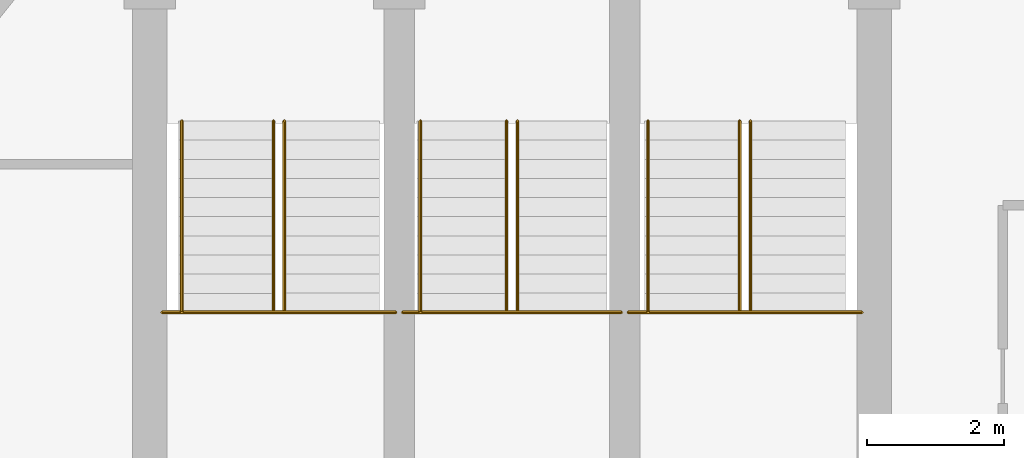
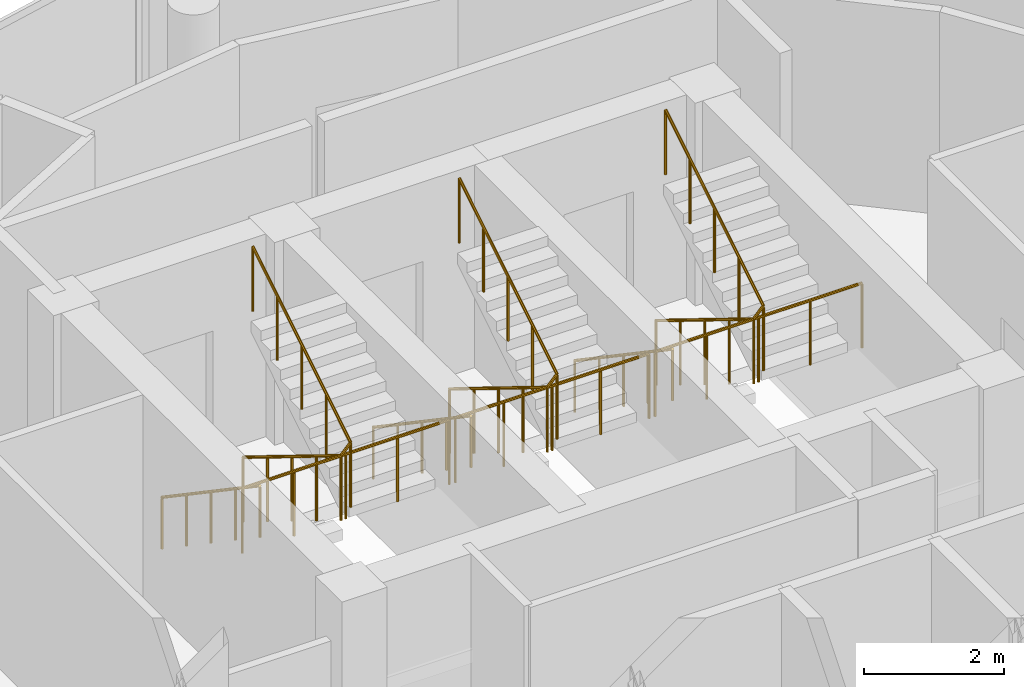
# One storey, part 24 of 24: 9 railings.
"""IFC4 building model written with IfcOpenShell, lengths in metres."""

from ifc_helpers import new_model, si_unit, direction, frame, origin, place, context, subcontext, project, spatial, polyline, outline, extrude, material, type_object, element, save


model = new_model("IFC4")

# Units and contexts
model_context = context("Model", 3, precision=1e-05, world=origin(), true_north=direction((0.0, 1.0)))
body_context = subcontext(model_context, "Body", "Model", "MODEL_VIEW")
ifc_project = project(units=[si_unit("LENGTHUNIT", "METRE"), si_unit("AREAUNIT", "SQUARE_METRE"), si_unit("VOLUMEUNIT", "CUBIC_METRE"), si_unit("PLANEANGLEUNIT", "RADIAN"), si_unit("MASSUNIT", "GRAM", prefix="KILO")], contexts=[model_context])

# Site, building, storey
site_placement = place(None, origin())
site = spatial("IfcSite", under=ifc_project, at=site_placement, CompositionType="ELEMENT")
building_placement = place(site_placement, origin())
building = spatial("IfcBuilding", under=site, at=building_placement, Name="Nuhasar Tower", CompositionType="ELEMENT")
storey_placement = place(building_placement, frame((0.0, 0.0, 286.0)))
storey = spatial("IfcBuildingStorey", under=building, at=storey_placement, Name="L71", CompositionType="ELEMENT", Elevation=286.0)

# Railings
ifc_material_1 = material(Name="Steel S355", Category="steel")
railing_type_1 = type_object("IfcRailingType", Name="RLG-STAIR-GUARD-1150", PredefinedType="GUARDRAIL", material=ifc_material_1)
railing_1_placement = place(storey_placement, frame((33.8798828125, 32.485107421875, 1.89990234375)))
element("IfcRailing", 1, at=railing_1_placement, inside=storey, type_object=railing_type_1, Name="L71 Stair ST-01 Guardrail LND", PredefinedType="GUARDRAIL", context=body_context, shape_type="SweptSolid", body=[
    extrude(outline(polyline([(0.024169921875, 0.0), (0.01708984375, 0.01708984375), (0.0, 0.024169921875), (-0.01708984375, 0.01708984375), (-0.024169921875, 0.0), (-0.01708984375, -0.01708984375), (0.0, -0.024169921875), (0.01708984375, -0.01708984375), (0.024169921875, 0.0)])), frame((0.0, 0.0, 1.1259765625), z_axis=(1.0, 0.0, 0.0), x_axis=(0.0, 1.0, 0.0)), (0.0, 0.0, 1.0), 3.420166015625),
    extrude(outline(polyline([(0.02099609375, 0.0), (0.014892578125, 0.014892578125), (0.0, 0.02099609375), (-0.014892578125, 0.014892578125), (-0.02099609375, 0.0), (-0.014892578125, -0.014892578125), (0.0, -0.02099609375), (0.014892578125, -0.014892578125), (0.02099609375, 0.0)])), origin(), (0.0, 0.0, 1.0), 1.101806640625),
    extrude(outline(polyline([(0.02099609375, 0.0), (0.014892578125, 0.014892578125), (0.0, 0.02099609375), (-0.014892578125, 0.014892578125), (-0.02099609375, 0.0), (-0.014892578125, -0.014892578125), (0.0, -0.02099609375), (0.014892578125, -0.014892578125), (0.02099609375, 0.0)])), frame((0.85498046875, 0.0, 0.0)), (0.0, 0.0, 1.0), 1.101806640625),
    extrude(outline(polyline([(0.02099609375, 0.0), (0.014892578125, 0.014892578125), (0.0, 0.02099609375), (-0.014892578125, 0.014892578125), (-0.02099609375, 0.0), (-0.014892578125, -0.014892578125), (0.0, -0.02099609375), (0.014892578125, -0.014892578125), (0.02099609375, 0.0)])), frame((1.7099609375, 0.0, 0.0)), (0.0, 0.0, 1.0), 1.101806640625),
    extrude(outline(polyline([(0.02099609375, 0.0), (0.014892578125, 0.014892578125), (0.0, 0.02099609375), (-0.014892578125, 0.014892578125), (-0.02099609375, 0.0), (-0.014892578125, -0.014892578125), (0.0, -0.02099609375), (0.014892578125, -0.014892578125), (0.02099609375, 0.0)])), frame((2.565185546875, 0.0, 0.0)), (0.0, 0.0, 1.0), 1.101806640625),
    extrude(outline(polyline([(0.02099609375, 0.0), (0.014892578125, 0.014892578125), (0.0, 0.02099609375), (-0.014892578125, 0.014892578125), (-0.02099609375, 0.0), (-0.014892578125, -0.014892578125), (0.0, -0.02099609375), (0.014892578125, -0.014892578125), (0.02099609375, 0.0)])), frame((3.420166015625, 0.0, 0.0)), (0.0, 0.0, 1.0), 1.101806640625),
])
railing_2_placement = place(storey_placement, frame((35.510009765625, 35.284912109375, 0.173095703125)))
element("IfcRailing", 2, at=railing_2_placement, inside=storey, type_object=railing_type_1, Name="L71 Stair ST-01 Guardrail SLT", PredefinedType="GUARDRAIL", context=body_context, shape_type="SweptSolid", body=[
    extrude(outline(polyline([(0.024169921875, 0.0), (0.01708984375, 0.01708984375), (0.0, 0.024169921875), (-0.01708984375, 0.01708984375), (-0.024169921875, 0.0), (-0.01708984375, -0.01708984375), (0.0, -0.024169921875), (0.01708984375, -0.01708984375), (0.024169921875, 0.0)])), frame((0.0, 0.0, 1.1259765625), z_axis=(0.0, -0.851135498715, 0.524946057064), x_axis=(1.0, 0.0, 0.0)), (0.0, 0.0, 1.0), 3.28955078125),
    extrude(outline(polyline([(0.024169921875, 0.0), (0.01708984375, 0.01708984375), (0.0, 0.024169921875), (-0.01708984375, 0.01708984375), (-0.024169921875, 0.0), (-0.01708984375, -0.01708984375), (0.0, -0.024169921875), (0.01708984375, -0.01708984375), (0.024169921875, 0.0)])), frame((0.0, -2.7998046875, 2.8525390625), z_axis=(0.678581247581, 0.0, 0.734525350435), x_axis=(0.0, 1.0, 0.0)), (0.0, 0.0, 1.0), 0.235595703125),
    extrude(outline(polyline([(0.024169921875, 0.0), (0.01708984375, 0.01708984375), (0.0, 0.024169921875), (-0.01708984375, 0.01708984375), (-0.024169921875, 0.0), (-0.01708984375, -0.01708984375), (0.0, -0.024169921875), (0.01708984375, -0.01708984375), (0.024169921875, 0.0)])), frame((0.159912109375, -2.7998046875, 3.02587890625), z_axis=(0.0, 0.851102337555, 0.524999820009), x_axis=(-1.0, 0.0, 0.0)), (0.0, 0.0, 1.0), 3.28955078125),
    extrude(outline(polyline([(0.02099609375, 0.0), (0.014892578125, 0.014892578125), (0.0, 0.02099609375), (-0.014892578125, 0.014892578125), (-0.02099609375, 0.0), (-0.014892578125, -0.014892578125), (0.0, -0.02099609375), (0.014892578125, -0.014892578125), (0.02099609375, 0.0)])), origin(), (0.0, 0.0, 1.0), 1.101806640625),
    extrude(outline(polyline([(0.02099609375, 0.0), (0.014892578125, 0.014892578125), (0.0, 0.02099609375), (-0.014892578125, 0.014892578125), (-0.02099609375, 0.0), (-0.014892578125, -0.014892578125), (0.0, -0.02099609375), (0.014892578125, -0.014892578125), (0.02099609375, 0.0)])), frame((0.0, -0.699951171875, 0.431640625)), (0.0, 0.0, 1.0), 1.101806640625),
    extrude(outline(polyline([(0.02099609375, 0.0), (0.014892578125, 0.014892578125), (0.0, 0.02099609375), (-0.014892578125, 0.014892578125), (-0.02099609375, 0.0), (-0.014892578125, -0.014892578125), (0.0, -0.02099609375), (0.014892578125, -0.014892578125), (0.02099609375, 0.0)])), frame((0.0, -1.39990234375, 0.86328125)), (0.0, 0.0, 1.0), 1.101806640625),
    extrude(outline(polyline([(0.02099609375, 0.0), (0.014892578125, 0.014892578125), (0.0, 0.02099609375), (-0.014892578125, 0.014892578125), (-0.02099609375, 0.0), (-0.014892578125, -0.014892578125), (0.0, -0.02099609375), (0.014892578125, -0.014892578125), (0.02099609375, 0.0)])), frame((0.0, -2.099853515625, 1.295166015625)), (0.0, 0.0, 1.0), 1.101806640625),
    extrude(outline(polyline([(0.02099609375, 0.0), (0.014892578125, 0.014892578125), (0.0, 0.02099609375), (-0.014892578125, 0.014892578125), (-0.02099609375, 0.0), (-0.014892578125, -0.014892578125), (0.0, -0.02099609375), (0.014892578125, -0.014892578125), (0.02099609375, 0.0)])), frame((0.0, -2.7998046875, 1.726806640625)), (0.0, 0.0, 1.0), 1.101806640625),
    extrude(outline(polyline([(0.02099609375, 0.0), (0.014892578125, 0.014892578125), (0.0, 0.02099609375), (-0.014892578125, 0.014892578125), (-0.02099609375, 0.0), (-0.014892578125, -0.014892578125), (0.0, -0.02099609375), (0.014892578125, -0.014892578125), (0.02099609375, 0.0)])), frame((0.159912109375, -2.7998046875, 1.89990234375)), (0.0, 0.0, 1.0), 1.101806640625),
    extrude(outline(polyline([(0.02099609375, 0.0), (0.014892578125, 0.014892578125), (0.0, 0.02099609375), (-0.014892578125, 0.014892578125), (-0.02099609375, 0.0), (-0.014892578125, -0.014892578125), (0.0, -0.02099609375), (0.014892578125, -0.014892578125), (0.02099609375, 0.0)])), frame((0.159912109375, -2.099853515625, 2.33154296875)), (0.0, 0.0, 1.0), 1.101806640625),
    extrude(outline(polyline([(0.02099609375, 0.0), (0.014892578125, 0.014892578125), (0.0, 0.02099609375), (-0.014892578125, 0.014892578125), (-0.02099609375, 0.0), (-0.014892578125, -0.014892578125), (0.0, -0.02099609375), (0.014892578125, -0.014892578125), (0.02099609375, 0.0)])), frame((0.159912109375, -1.39990234375, 2.763427734375)), (0.0, 0.0, 1.0), 1.101806640625),
    extrude(outline(polyline([(0.02099609375, 0.0), (0.014892578125, 0.014892578125), (0.0, 0.02099609375), (-0.014892578125, 0.014892578125), (-0.02099609375, 0.0), (-0.014892578125, -0.014892578125), (0.0, -0.02099609375), (0.014892578125, -0.014892578125), (0.02099609375, 0.0)])), frame((0.159912109375, -0.699951171875, 3.1953125)), (0.0, 0.0, 1.0), 1.101806640625),
    extrude(outline(polyline([(0.02099609375, 0.0), (0.014892578125, 0.014892578125), (0.0, 0.02099609375), (-0.014892578125, 0.014892578125), (-0.02099609375, 0.0), (-0.014892578125, -0.014892578125), (0.0, -0.02099609375), (0.014892578125, -0.014892578125), (0.02099609375, 0.0)])), frame((0.159912109375, 0.0, 3.626953125)), (0.0, 0.0, 1.0), 1.101806640625),
])
railing_3_placement = place(storey_placement, frame((37.39990234375, 32.485107421875, 1.89990234375)))
element("IfcRailing", 3, at=railing_3_placement, inside=storey, type_object=railing_type_1, Name="L71 Stair ST-03 Guardrail LND", PredefinedType="GUARDRAIL", context=body_context, shape_type="SweptSolid", body=[
    extrude(outline(polyline([(0.024169921875, 0.0), (0.01708984375, 0.01708984375), (0.0, 0.024169921875), (-0.01708984375, 0.01708984375), (-0.024169921875, 0.0), (-0.01708984375, -0.01708984375), (0.0, -0.024169921875), (0.01708984375, -0.01708984375), (0.024169921875, 0.0)])), frame((0.0, 0.0, 1.1259765625), z_axis=(1.0, 0.0, 0.0), x_axis=(0.0, 1.0, 0.0)), (0.0, 0.0, 1.0), 3.2001953125),
    extrude(outline(polyline([(0.02099609375, 0.0), (0.014892578125, 0.014892578125), (0.0, 0.02099609375), (-0.014892578125, 0.014892578125), (-0.02099609375, 0.0), (-0.014892578125, -0.014892578125), (0.0, -0.02099609375), (0.014892578125, -0.014892578125), (0.02099609375, 0.0)])), origin(), (0.0, 0.0, 1.0), 1.101806640625),
    extrude(outline(polyline([(0.02099609375, 0.0), (0.014892578125, 0.014892578125), (0.0, 0.02099609375), (-0.014892578125, 0.014892578125), (-0.02099609375, 0.0), (-0.014892578125, -0.014892578125), (0.0, -0.02099609375), (0.014892578125, -0.014892578125), (0.02099609375, 0.0)])), frame((0.800048828125, 0.0, 0.0)), (0.0, 0.0, 1.0), 1.101806640625),
    extrude(outline(polyline([(0.02099609375, 0.0), (0.014892578125, 0.014892578125), (0.0, 0.02099609375), (-0.014892578125, 0.014892578125), (-0.02099609375, 0.0), (-0.014892578125, -0.014892578125), (0.0, -0.02099609375), (0.014892578125, -0.014892578125), (0.02099609375, 0.0)])), frame((1.60009765625, 0.0, 0.0)), (0.0, 0.0, 1.0), 1.101806640625),
    extrude(outline(polyline([(0.02099609375, 0.0), (0.014892578125, 0.014892578125), (0.0, 0.02099609375), (-0.014892578125, 0.014892578125), (-0.02099609375, 0.0), (-0.014892578125, -0.014892578125), (0.0, -0.02099609375), (0.014892578125, -0.014892578125), (0.02099609375, 0.0)])), frame((2.400146484375, 0.0, 0.0)), (0.0, 0.0, 1.0), 1.101806640625),
    extrude(outline(polyline([(0.02099609375, 0.0), (0.014892578125, 0.014892578125), (0.0, 0.02099609375), (-0.014892578125, 0.014892578125), (-0.02099609375, 0.0), (-0.014892578125, -0.014892578125), (0.0, -0.02099609375), (0.014892578125, -0.014892578125), (0.02099609375, 0.0)])), frame((3.2001953125, 0.0, 0.0)), (0.0, 0.0, 1.0), 1.101806640625),
])
railing_4_placement = place(storey_placement, frame((38.919921875, 35.284912109375, 0.173095703125)))
element("IfcRailing", 4, at=railing_4_placement, inside=storey, type_object=railing_type_1, Name="L71 Stair ST-03 Guardrail SLT", PredefinedType="GUARDRAIL", context=body_context, shape_type="SweptSolid", body=[
    extrude(outline(polyline([(0.024169921875, 0.0), (0.01708984375, 0.01708984375), (0.0, 0.024169921875), (-0.01708984375, 0.01708984375), (-0.024169921875, 0.0), (-0.01708984375, -0.01708984375), (0.0, -0.024169921875), (0.01708984375, -0.01708984375), (0.024169921875, 0.0)])), frame((0.0, 0.0, 1.1259765625), z_axis=(0.0, -0.851135498715, 0.524946057064), x_axis=(1.0, 0.0, 0.0)), (0.0, 0.0, 1.0), 3.28955078125),
    extrude(outline(polyline([(0.024169921875, 0.0), (0.01708984375, 0.01708984375), (0.0, 0.024169921875), (-0.01708984375, 0.01708984375), (-0.024169921875, 0.0), (-0.01708984375, -0.01708984375), (0.0, -0.024169921875), (0.01708984375, -0.01708984375), (0.024169921875, 0.0)])), frame((0.0, -2.7998046875, 2.8525390625), z_axis=(0.679139610055, 0.0, 0.734009121234), x_axis=(0.0, 1.0, 0.0)), (0.0, 0.0, 1.0), 0.23583984375),
    extrude(outline(polyline([(0.024169921875, 0.0), (0.01708984375, 0.01708984375), (0.0, 0.024169921875), (-0.01708984375, 0.01708984375), (-0.024169921875, 0.0), (-0.01708984375, -0.01708984375), (0.0, -0.024169921875), (0.01708984375, -0.01708984375), (0.024169921875, 0.0)])), frame((0.16015625, -2.7998046875, 3.02587890625), z_axis=(0.0, 0.851102337555, 0.524999820009), x_axis=(-1.0, 0.0, 0.0)), (0.0, 0.0, 1.0), 3.28955078125),
    extrude(outline(polyline([(0.02099609375, 0.0), (0.014892578125, 0.014892578125), (0.0, 0.02099609375), (-0.014892578125, 0.014892578125), (-0.02099609375, 0.0), (-0.014892578125, -0.014892578125), (0.0, -0.02099609375), (0.014892578125, -0.014892578125), (0.02099609375, 0.0)])), origin(), (0.0, 0.0, 1.0), 1.101806640625),
    extrude(outline(polyline([(0.02099609375, 0.0), (0.014892578125, 0.014892578125), (0.0, 0.02099609375), (-0.014892578125, 0.014892578125), (-0.02099609375, 0.0), (-0.014892578125, -0.014892578125), (0.0, -0.02099609375), (0.014892578125, -0.014892578125), (0.02099609375, 0.0)])), frame((0.0, -0.699951171875, 0.431640625)), (0.0, 0.0, 1.0), 1.101806640625),
    extrude(outline(polyline([(0.02099609375, 0.0), (0.014892578125, 0.014892578125), (0.0, 0.02099609375), (-0.014892578125, 0.014892578125), (-0.02099609375, 0.0), (-0.014892578125, -0.014892578125), (0.0, -0.02099609375), (0.014892578125, -0.014892578125), (0.02099609375, 0.0)])), frame((0.0, -1.39990234375, 0.86328125)), (0.0, 0.0, 1.0), 1.101806640625),
    extrude(outline(polyline([(0.02099609375, 0.0), (0.014892578125, 0.014892578125), (0.0, 0.02099609375), (-0.014892578125, 0.014892578125), (-0.02099609375, 0.0), (-0.014892578125, -0.014892578125), (0.0, -0.02099609375), (0.014892578125, -0.014892578125), (0.02099609375, 0.0)])), frame((0.0, -2.099853515625, 1.295166015625)), (0.0, 0.0, 1.0), 1.101806640625),
    extrude(outline(polyline([(0.02099609375, 0.0), (0.014892578125, 0.014892578125), (0.0, 0.02099609375), (-0.014892578125, 0.014892578125), (-0.02099609375, 0.0), (-0.014892578125, -0.014892578125), (0.0, -0.02099609375), (0.014892578125, -0.014892578125), (0.02099609375, 0.0)])), frame((0.0, -2.7998046875, 1.726806640625)), (0.0, 0.0, 1.0), 1.101806640625),
    extrude(outline(polyline([(0.02099609375, 0.0), (0.014892578125, 0.014892578125), (0.0, 0.02099609375), (-0.014892578125, 0.014892578125), (-0.02099609375, 0.0), (-0.014892578125, -0.014892578125), (0.0, -0.02099609375), (0.014892578125, -0.014892578125), (0.02099609375, 0.0)])), frame((0.16015625, -2.7998046875, 1.89990234375)), (0.0, 0.0, 1.0), 1.101806640625),
    extrude(outline(polyline([(0.02099609375, 0.0), (0.014892578125, 0.014892578125), (0.0, 0.02099609375), (-0.014892578125, 0.014892578125), (-0.02099609375, 0.0), (-0.014892578125, -0.014892578125), (0.0, -0.02099609375), (0.014892578125, -0.014892578125), (0.02099609375, 0.0)])), frame((0.16015625, -2.099853515625, 2.33154296875)), (0.0, 0.0, 1.0), 1.101806640625),
    extrude(outline(polyline([(0.02099609375, 0.0), (0.014892578125, 0.014892578125), (0.0, 0.02099609375), (-0.014892578125, 0.014892578125), (-0.02099609375, 0.0), (-0.014892578125, -0.014892578125), (0.0, -0.02099609375), (0.014892578125, -0.014892578125), (0.02099609375, 0.0)])), frame((0.16015625, -1.39990234375, 2.763427734375)), (0.0, 0.0, 1.0), 1.101806640625),
    extrude(outline(polyline([(0.02099609375, 0.0), (0.014892578125, 0.014892578125), (0.0, 0.02099609375), (-0.014892578125, 0.014892578125), (-0.02099609375, 0.0), (-0.014892578125, -0.014892578125), (0.0, -0.02099609375), (0.014892578125, -0.014892578125), (0.02099609375, 0.0)])), frame((0.16015625, -0.699951171875, 3.1953125)), (0.0, 0.0, 1.0), 1.101806640625),
    extrude(outline(polyline([(0.02099609375, 0.0), (0.014892578125, 0.014892578125), (0.0, 0.02099609375), (-0.014892578125, 0.014892578125), (-0.02099609375, 0.0), (-0.014892578125, -0.014892578125), (0.0, -0.02099609375), (0.014892578125, -0.014892578125), (0.02099609375, 0.0)])), frame((0.16015625, 0.0, 3.626953125)), (0.0, 0.0, 1.0), 1.101806640625),
])
railing_5_placement = place(storey_placement, frame((40.699951171875, 32.485107421875, 1.89990234375)))
element("IfcRailing", 5, at=railing_5_placement, inside=storey, type_object=railing_type_1, Name="L71 Stair ST-02 Guardrail LND", PredefinedType="GUARDRAIL", context=body_context, shape_type="SweptSolid", body=[
    extrude(outline(polyline([(0.024169921875, 0.0), (0.01708984375, 0.01708984375), (0.0, 0.024169921875), (-0.01708984375, 0.01708984375), (-0.024169921875, 0.0), (-0.01708984375, -0.01708984375), (0.0, -0.024169921875), (0.01708984375, -0.01708984375), (0.024169921875, 0.0)])), frame((0.0, 0.0, 1.1259765625), z_axis=(1.0, 0.0, 0.0), x_axis=(0.0, 1.0, 0.0)), (0.0, 0.0, 1.0), 3.420166015625),
    extrude(outline(polyline([(0.02099609375, 0.0), (0.014892578125, 0.014892578125), (0.0, 0.02099609375), (-0.014892578125, 0.014892578125), (-0.02099609375, 0.0), (-0.014892578125, -0.014892578125), (0.0, -0.02099609375), (0.014892578125, -0.014892578125), (0.02099609375, 0.0)])), origin(), (0.0, 0.0, 1.0), 1.101806640625),
    extrude(outline(polyline([(0.02099609375, 0.0), (0.014892578125, 0.014892578125), (0.0, 0.02099609375), (-0.014892578125, 0.014892578125), (-0.02099609375, 0.0), (-0.014892578125, -0.014892578125), (0.0, -0.02099609375), (0.014892578125, -0.014892578125), (0.02099609375, 0.0)])), frame((0.85498046875, 0.0, 0.0)), (0.0, 0.0, 1.0), 1.101806640625),
    extrude(outline(polyline([(0.02099609375, 0.0), (0.014892578125, 0.014892578125), (0.0, 0.02099609375), (-0.014892578125, 0.014892578125), (-0.02099609375, 0.0), (-0.014892578125, -0.014892578125), (0.0, -0.02099609375), (0.014892578125, -0.014892578125), (0.02099609375, 0.0)])), frame((1.7099609375, 0.0, 0.0)), (0.0, 0.0, 1.0), 1.101806640625),
    extrude(outline(polyline([(0.02099609375, 0.0), (0.014892578125, 0.014892578125), (0.0, 0.02099609375), (-0.014892578125, 0.014892578125), (-0.02099609375, 0.0), (-0.014892578125, -0.014892578125), (0.0, -0.02099609375), (0.014892578125, -0.014892578125), (0.02099609375, 0.0)])), frame((2.565185546875, 0.0, 0.0)), (0.0, 0.0, 1.0), 1.101806640625),
    extrude(outline(polyline([(0.02099609375, 0.0), (0.014892578125, 0.014892578125), (0.0, 0.02099609375), (-0.014892578125, 0.014892578125), (-0.02099609375, 0.0), (-0.014892578125, -0.014892578125), (0.0, -0.02099609375), (0.014892578125, -0.014892578125), (0.02099609375, 0.0)])), frame((3.420166015625, 0.0, 0.0)), (0.0, 0.0, 1.0), 1.101806640625),
])
railing_6_placement = place(storey_placement, frame((42.330078125, 35.284912109375, 0.173095703125)))
element("IfcRailing", 6, at=railing_6_placement, inside=storey, type_object=railing_type_1, Name="L71 Stair ST-02 Guardrail SLT", PredefinedType="GUARDRAIL", context=body_context, shape_type="SweptSolid", body=[
    extrude(outline(polyline([(0.024169921875, 0.0), (0.01708984375, 0.01708984375), (0.0, 0.024169921875), (-0.01708984375, 0.01708984375), (-0.024169921875, 0.0), (-0.01708984375, -0.01708984375), (0.0, -0.024169921875), (0.01708984375, -0.01708984375), (0.024169921875, 0.0)])), frame((0.0, 0.0, 1.1259765625), z_axis=(0.0, -0.851135498715, 0.524946057064), x_axis=(1.0, 0.0, 0.0)), (0.0, 0.0, 1.0), 3.28955078125),
    extrude(outline(polyline([(0.024169921875, 0.0), (0.01708984375, 0.01708984375), (0.0, 0.024169921875), (-0.01708984375, 0.01708984375), (-0.024169921875, 0.0), (-0.01708984375, -0.01708984375), (0.0, -0.024169921875), (0.01708984375, -0.01708984375), (0.024169921875, 0.0)])), frame((0.0, -2.7998046875, 2.8525390625), z_axis=(0.678581247581, 0.0, 0.734525350435), x_axis=(0.0, 1.0, 0.0)), (0.0, 0.0, 1.0), 0.235595703125),
    extrude(outline(polyline([(0.024169921875, 0.0), (0.01708984375, 0.01708984375), (0.0, 0.024169921875), (-0.01708984375, 0.01708984375), (-0.024169921875, 0.0), (-0.01708984375, -0.01708984375), (0.0, -0.024169921875), (0.01708984375, -0.01708984375), (0.024169921875, 0.0)])), frame((0.159912109375, -2.7998046875, 3.02587890625), z_axis=(0.0, 0.851102337555, 0.524999820009), x_axis=(-1.0, 0.0, 0.0)), (0.0, 0.0, 1.0), 3.28955078125),
    extrude(outline(polyline([(0.02099609375, 0.0), (0.014892578125, 0.014892578125), (0.0, 0.02099609375), (-0.014892578125, 0.014892578125), (-0.02099609375, 0.0), (-0.014892578125, -0.014892578125), (0.0, -0.02099609375), (0.014892578125, -0.014892578125), (0.02099609375, 0.0)])), origin(), (0.0, 0.0, 1.0), 1.101806640625),
    extrude(outline(polyline([(0.02099609375, 0.0), (0.014892578125, 0.014892578125), (0.0, 0.02099609375), (-0.014892578125, 0.014892578125), (-0.02099609375, 0.0), (-0.014892578125, -0.014892578125), (0.0, -0.02099609375), (0.014892578125, -0.014892578125), (0.02099609375, 0.0)])), frame((0.0, -0.699951171875, 0.431640625)), (0.0, 0.0, 1.0), 1.101806640625),
    extrude(outline(polyline([(0.02099609375, 0.0), (0.014892578125, 0.014892578125), (0.0, 0.02099609375), (-0.014892578125, 0.014892578125), (-0.02099609375, 0.0), (-0.014892578125, -0.014892578125), (0.0, -0.02099609375), (0.014892578125, -0.014892578125), (0.02099609375, 0.0)])), frame((0.0, -1.39990234375, 0.86328125)), (0.0, 0.0, 1.0), 1.101806640625),
    extrude(outline(polyline([(0.02099609375, 0.0), (0.014892578125, 0.014892578125), (0.0, 0.02099609375), (-0.014892578125, 0.014892578125), (-0.02099609375, 0.0), (-0.014892578125, -0.014892578125), (0.0, -0.02099609375), (0.014892578125, -0.014892578125), (0.02099609375, 0.0)])), frame((0.0, -2.099853515625, 1.295166015625)), (0.0, 0.0, 1.0), 1.101806640625),
    extrude(outline(polyline([(0.02099609375, 0.0), (0.014892578125, 0.014892578125), (0.0, 0.02099609375), (-0.014892578125, 0.014892578125), (-0.02099609375, 0.0), (-0.014892578125, -0.014892578125), (0.0, -0.02099609375), (0.014892578125, -0.014892578125), (0.02099609375, 0.0)])), frame((0.0, -2.7998046875, 1.726806640625)), (0.0, 0.0, 1.0), 1.101806640625),
    extrude(outline(polyline([(0.02099609375, 0.0), (0.014892578125, 0.014892578125), (0.0, 0.02099609375), (-0.014892578125, 0.014892578125), (-0.02099609375, 0.0), (-0.014892578125, -0.014892578125), (0.0, -0.02099609375), (0.014892578125, -0.014892578125), (0.02099609375, 0.0)])), frame((0.159912109375, -2.7998046875, 1.89990234375)), (0.0, 0.0, 1.0), 1.101806640625),
    extrude(outline(polyline([(0.02099609375, 0.0), (0.014892578125, 0.014892578125), (0.0, 0.02099609375), (-0.014892578125, 0.014892578125), (-0.02099609375, 0.0), (-0.014892578125, -0.014892578125), (0.0, -0.02099609375), (0.014892578125, -0.014892578125), (0.02099609375, 0.0)])), frame((0.159912109375, -2.099853515625, 2.33154296875)), (0.0, 0.0, 1.0), 1.101806640625),
    extrude(outline(polyline([(0.02099609375, 0.0), (0.014892578125, 0.014892578125), (0.0, 0.02099609375), (-0.014892578125, 0.014892578125), (-0.02099609375, 0.0), (-0.014892578125, -0.014892578125), (0.0, -0.02099609375), (0.014892578125, -0.014892578125), (0.02099609375, 0.0)])), frame((0.159912109375, -1.39990234375, 2.763427734375)), (0.0, 0.0, 1.0), 1.101806640625),
    extrude(outline(polyline([(0.02099609375, 0.0), (0.014892578125, 0.014892578125), (0.0, 0.02099609375), (-0.014892578125, 0.014892578125), (-0.02099609375, 0.0), (-0.014892578125, -0.014892578125), (0.0, -0.02099609375), (0.014892578125, -0.014892578125), (0.02099609375, 0.0)])), frame((0.159912109375, -0.699951171875, 3.1953125)), (0.0, 0.0, 1.0), 1.101806640625),
    extrude(outline(polyline([(0.02099609375, 0.0), (0.014892578125, 0.014892578125), (0.0, 0.02099609375), (-0.014892578125, 0.014892578125), (-0.02099609375, 0.0), (-0.014892578125, -0.014892578125), (0.0, -0.02099609375), (0.014892578125, -0.014892578125), (0.02099609375, 0.0)])), frame((0.159912109375, 0.0, 3.626953125)), (0.0, 0.0, 1.0), 1.101806640625),
])
ifc_material_2 = material(Name="Stainless Steel 316L", Category="steel")
railing_type_2 = type_object("IfcRailingType", Name="RLG-STAIR-HAND-920", PredefinedType="HANDRAIL", material=ifc_material_2)
railing_7_placement = place(storey_placement, frame((34.169921875, 35.284912109375, 0.173095703125)))
element("IfcRailing", 7, at=railing_7_placement, inside=storey, type_object=railing_type_2, Name="L71 Stair ST-01 Handrail HND1", PredefinedType="HANDRAIL", context=body_context, shape_type="SweptSolid", body=[
    extrude(outline(polyline([(0.024169921875, 0.0), (0.01708984375, 0.01708984375), (0.0, 0.024169921875), (-0.01708984375, 0.01708984375), (-0.024169921875, 0.0), (-0.01708984375, -0.01708984375), (0.0, -0.024169921875), (0.01708984375, -0.01708984375), (0.024169921875, 0.0)])), frame((0.0, 0.0, 0.89599609375), z_axis=(0.0, -0.827470985049, 0.561508476251), x_axis=(1.0, 0.0, 0.0)), (0.0, 0.0, 1.0), 3.383544921875),
    extrude(outline(polyline([(0.02099609375, 0.0), (0.014892578125, 0.014892578125), (0.0, 0.02099609375), (-0.014892578125, 0.014892578125), (-0.02099609375, 0.0), (-0.014892578125, -0.014892578125), (0.0, -0.02099609375), (0.014892578125, -0.014892578125), (0.02099609375, 0.0)])), origin(), (0.0, 0.0, 1.0), 0.871826171875),
    extrude(outline(polyline([(0.02099609375, 0.0), (0.014892578125, 0.014892578125), (0.0, 0.02099609375), (-0.014892578125, 0.014892578125), (-0.02099609375, 0.0), (-0.014892578125, -0.014892578125), (0.0, -0.02099609375), (0.014892578125, -0.014892578125), (0.02099609375, 0.0)])), frame((0.0, -0.699951171875, 0.47509765625)), (0.0, 0.0, 1.0), 0.871826171875),
    extrude(outline(polyline([(0.02099609375, 0.0), (0.014892578125, 0.014892578125), (0.0, 0.02099609375), (-0.014892578125, 0.014892578125), (-0.02099609375, 0.0), (-0.014892578125, -0.014892578125), (0.0, -0.02099609375), (0.014892578125, -0.014892578125), (0.02099609375, 0.0)])), frame((0.0, -1.39990234375, 0.949951171875)), (0.0, 0.0, 1.0), 0.871826171875),
    extrude(outline(polyline([(0.02099609375, 0.0), (0.014892578125, 0.014892578125), (0.0, 0.02099609375), (-0.014892578125, 0.014892578125), (-0.02099609375, 0.0), (-0.014892578125, -0.014892578125), (0.0, -0.02099609375), (0.014892578125, -0.014892578125), (0.02099609375, 0.0)])), frame((0.0, -2.099853515625, 1.4248046875)), (0.0, 0.0, 1.0), 0.871826171875),
    extrude(outline(polyline([(0.02099609375, 0.0), (0.014892578125, 0.014892578125), (0.0, 0.02099609375), (-0.014892578125, 0.014892578125), (-0.02099609375, 0.0), (-0.014892578125, -0.014892578125), (0.0, -0.02099609375), (0.014892578125, -0.014892578125), (0.02099609375, 0.0)])), frame((0.0, -2.7998046875, 1.89990234375)), (0.0, 0.0, 1.0), 0.871826171875),
])
railing_8_placement = place(storey_placement, frame((37.659912109375, 35.284912109375, 0.173095703125)))
element("IfcRailing", 8, at=railing_8_placement, inside=storey, type_object=railing_type_2, Name="L71 Stair ST-03 Handrail HND1", PredefinedType="HANDRAIL", context=body_context, shape_type="SweptSolid", body=[
    extrude(outline(polyline([(0.024169921875, 0.0), (0.01708984375, 0.01708984375), (0.0, 0.024169921875), (-0.01708984375, 0.01708984375), (-0.024169921875, 0.0), (-0.01708984375, -0.01708984375), (0.0, -0.024169921875), (0.01708984375, -0.01708984375), (0.024169921875, 0.0)])), frame((0.0, 0.0, 0.89599609375), z_axis=(0.0, -0.827470985049, 0.561508476251), x_axis=(1.0, 0.0, 0.0)), (0.0, 0.0, 1.0), 3.383544921875),
    extrude(outline(polyline([(0.02099609375, 0.0), (0.014892578125, 0.014892578125), (0.0, 0.02099609375), (-0.014892578125, 0.014892578125), (-0.02099609375, 0.0), (-0.014892578125, -0.014892578125), (0.0, -0.02099609375), (0.014892578125, -0.014892578125), (0.02099609375, 0.0)])), origin(), (0.0, 0.0, 1.0), 0.871826171875),
    extrude(outline(polyline([(0.02099609375, 0.0), (0.014892578125, 0.014892578125), (0.0, 0.02099609375), (-0.014892578125, 0.014892578125), (-0.02099609375, 0.0), (-0.014892578125, -0.014892578125), (0.0, -0.02099609375), (0.014892578125, -0.014892578125), (0.02099609375, 0.0)])), frame((0.0, -0.699951171875, 0.47509765625)), (0.0, 0.0, 1.0), 0.871826171875),
    extrude(outline(polyline([(0.02099609375, 0.0), (0.014892578125, 0.014892578125), (0.0, 0.02099609375), (-0.014892578125, 0.014892578125), (-0.02099609375, 0.0), (-0.014892578125, -0.014892578125), (0.0, -0.02099609375), (0.014892578125, -0.014892578125), (0.02099609375, 0.0)])), frame((0.0, -1.39990234375, 0.949951171875)), (0.0, 0.0, 1.0), 0.871826171875),
    extrude(outline(polyline([(0.02099609375, 0.0), (0.014892578125, 0.014892578125), (0.0, 0.02099609375), (-0.014892578125, 0.014892578125), (-0.02099609375, 0.0), (-0.014892578125, -0.014892578125), (0.0, -0.02099609375), (0.014892578125, -0.014892578125), (0.02099609375, 0.0)])), frame((0.0, -2.099853515625, 1.4248046875)), (0.0, 0.0, 1.0), 0.871826171875),
    extrude(outline(polyline([(0.02099609375, 0.0), (0.014892578125, 0.014892578125), (0.0, 0.02099609375), (-0.014892578125, 0.014892578125), (-0.02099609375, 0.0), (-0.014892578125, -0.014892578125), (0.0, -0.02099609375), (0.014892578125, -0.014892578125), (0.02099609375, 0.0)])), frame((0.0, -2.7998046875, 1.89990234375)), (0.0, 0.0, 1.0), 0.871826171875),
])
railing_9_placement = place(storey_placement, frame((40.989990234375, 35.284912109375, 0.173095703125)))
element("IfcRailing", 9, at=railing_9_placement, inside=storey, type_object=railing_type_2, Name="L71 Stair ST-02 Handrail HND1", PredefinedType="HANDRAIL", context=body_context, shape_type="SweptSolid", body=[
    extrude(outline(polyline([(0.024169921875, 0.0), (0.01708984375, 0.01708984375), (0.0, 0.024169921875), (-0.01708984375, 0.01708984375), (-0.024169921875, 0.0), (-0.01708984375, -0.01708984375), (0.0, -0.024169921875), (0.01708984375, -0.01708984375), (0.024169921875, 0.0)])), frame((0.0, 0.0, 0.89599609375), z_axis=(0.0, -0.827470985049, 0.561508476251), x_axis=(1.0, 0.0, 0.0)), (0.0, 0.0, 1.0), 3.383544921875),
    extrude(outline(polyline([(0.02099609375, 0.0), (0.014892578125, 0.014892578125), (0.0, 0.02099609375), (-0.014892578125, 0.014892578125), (-0.02099609375, 0.0), (-0.014892578125, -0.014892578125), (0.0, -0.02099609375), (0.014892578125, -0.014892578125), (0.02099609375, 0.0)])), origin(), (0.0, 0.0, 1.0), 0.871826171875),
    extrude(outline(polyline([(0.02099609375, 0.0), (0.014892578125, 0.014892578125), (0.0, 0.02099609375), (-0.014892578125, 0.014892578125), (-0.02099609375, 0.0), (-0.014892578125, -0.014892578125), (0.0, -0.02099609375), (0.014892578125, -0.014892578125), (0.02099609375, 0.0)])), frame((0.0, -0.699951171875, 0.47509765625)), (0.0, 0.0, 1.0), 0.871826171875),
    extrude(outline(polyline([(0.02099609375, 0.0), (0.014892578125, 0.014892578125), (0.0, 0.02099609375), (-0.014892578125, 0.014892578125), (-0.02099609375, 0.0), (-0.014892578125, -0.014892578125), (0.0, -0.02099609375), (0.014892578125, -0.014892578125), (0.02099609375, 0.0)])), frame((0.0, -1.39990234375, 0.949951171875)), (0.0, 0.0, 1.0), 0.871826171875),
    extrude(outline(polyline([(0.02099609375, 0.0), (0.014892578125, 0.014892578125), (0.0, 0.02099609375), (-0.014892578125, 0.014892578125), (-0.02099609375, 0.0), (-0.014892578125, -0.014892578125), (0.0, -0.02099609375), (0.014892578125, -0.014892578125), (0.02099609375, 0.0)])), frame((0.0, -2.099853515625, 1.4248046875)), (0.0, 0.0, 1.0), 0.871826171875),
    extrude(outline(polyline([(0.02099609375, 0.0), (0.014892578125, 0.014892578125), (0.0, 0.02099609375), (-0.014892578125, 0.014892578125), (-0.02099609375, 0.0), (-0.014892578125, -0.014892578125), (0.0, -0.02099609375), (0.014892578125, -0.014892578125), (0.02099609375, 0.0)])), frame((0.0, -2.7998046875, 1.89990234375)), (0.0, 0.0, 1.0), 0.871826171875),
])

save(model, "model.ifc")
